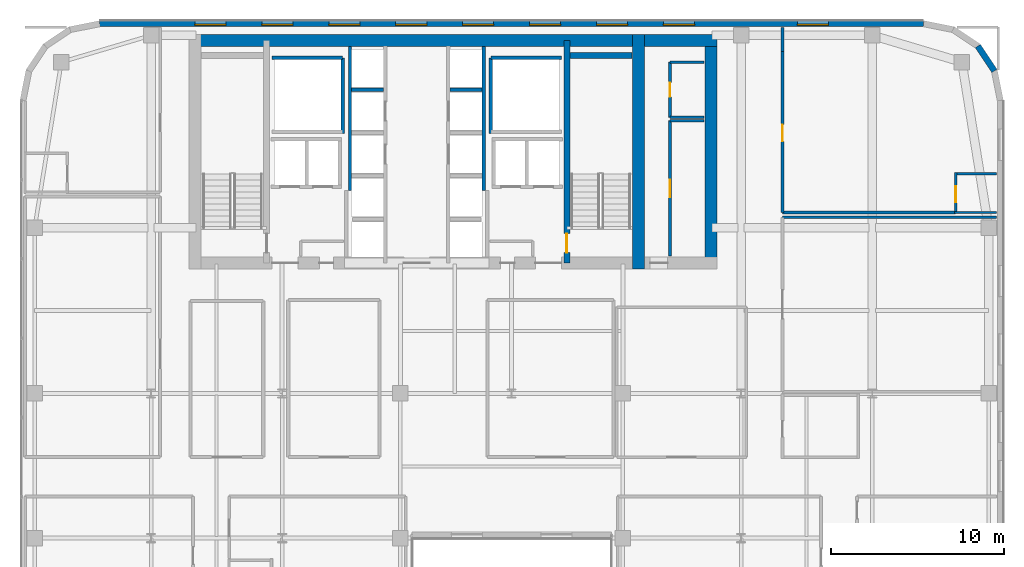
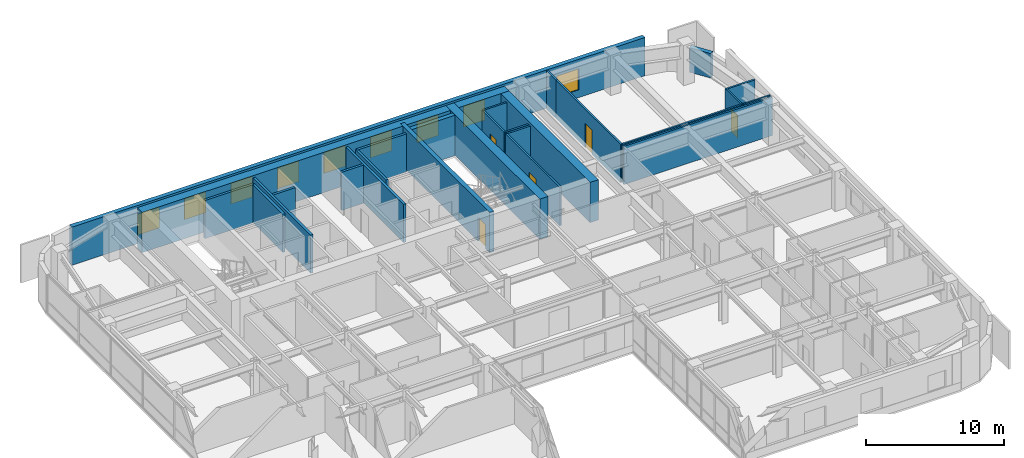
# One storey, part 31 of 37: 28 walls, 9 windows, 5 doors, 14 openings.
"""IFC4 building model written with IfcOpenShell, lengths in metres."""

from ifc_helpers import new_model, si_unit, direction, frame, frame_2d, origin, place, context, subcontext, project, spatial, rectangle, extrude, source, transform, mapped, material, layer, layer_set, type_object, type_shapes, element, fill, save


model = new_model("IFC4")

# Units and contexts
model_context = context("Model", 3, precision=1e-05, world=origin(), true_north=direction((0.0, 1.0)))
body_context = subcontext(model_context, "Body", "Model", "MODEL_VIEW")
ifc_project = project(units=[si_unit("LENGTHUNIT", "METRE"), si_unit("AREAUNIT", "SQUARE_METRE"), si_unit("VOLUMEUNIT", "CUBIC_METRE"), si_unit("PLANEANGLEUNIT", "RADIAN"), si_unit("MASSUNIT", "GRAM", prefix="KILO")], contexts=[model_context])

# Site, building, storey
site_placement = place(None, origin())
site = spatial("IfcSite", under=ifc_project, at=site_placement, CompositionType="ELEMENT")
building_placement = place(site_placement, origin())
building = spatial("IfcBuilding", under=site, at=building_placement, Name="Tolvann Quenvar Hotel", CompositionType="ELEMENT")
storey_placement = place(building_placement, frame((0.0, 0.0, 104.449951171875)))
storey = spatial("IfcBuildingStorey", under=building, at=storey_placement, Name="L26", CompositionType="ELEMENT", Elevation=104.449951171875)

# Walls
ifc_material_1 = material(Name="Concrete S65 (65 MPa)", Category="concrete")
ifc_layer_1 = layer(ifc_material_1, 0.699951171875)
ifc_layer_set_1 = layer_set([ifc_layer_1], Name="Concrete S65 (65 MPa)")
wall_type_1 = type_object("IfcWallType", Name="WALL_CORE_700", PredefinedType="SHEAR", material=ifc_layer_set_1)
wall_1_placement = place(storey_placement, frame((9.800048828125, 44.85009765625, 0.0), z_axis=(0.0, 0.0, 1.0), x_axis=(1.0, 0.0, 0.0)))
element("IfcWall", 1, at=wall_1_placement, inside=storey, type_object=wall_type_1, Name="Rear Core N Shear Wall (L26)", PredefinedType="SHEAR", context=body_context, shape_type="SweptSolid", body=[
    extrude(rectangle(XDim=26.39990234375, YDim=0.699951171875, at=frame_2d((13.199951171875, 0.0))), origin(), (0.0, 0.0, 1.0), 3.550048828125),
])
wall_2_placement = place(storey_placement, frame((35.85009765625, 31.60009765625, 0.0), z_axis=(0.0, 0.0, 1.0), x_axis=(0.0, 1.0, 0.0)))
element("IfcWall", 2, at=wall_2_placement, inside=storey, type_object=wall_type_1, Name="Rear Core E Shear Wall (L26)", PredefinedType="SHEAR", context=body_context, shape_type="SweptSolid", body=[
    extrude(rectangle(XDim=13.599853515625, YDim=0.699951171875, at=frame_2d((6.7998046875, 0.0))), origin(), (0.0, 0.0, 1.0), 3.550048828125),
])
wall_3_placement = place(storey_placement, frame((36.199951171875, 44.85009765625, 0.0), z_axis=(0.0, 0.0, 1.0), x_axis=(1.0, 0.0, 0.0)))
element("IfcWall", 3, at=wall_3_placement, inside=storey, type_object=wall_type_1, Name="Core East Annex Shear Wall ANN-N (L26)", PredefinedType="SHEAR", context=body_context, shape_type="SweptSolid", body=[
    extrude(rectangle(XDim=4.199951171875, YDim=0.699951171875, at=frame_2d((2.10009765625, 0.0))), origin(), (0.0, 0.0, 1.0), 3.550048828125),
])
wall_4_placement = place(storey_placement, frame((40.050048828125, 31.60009765625, 0.0), z_axis=(0.0, 0.0, 1.0), x_axis=(0.0, 1.0, 0.0)))
element("IfcWall", 4, at=wall_4_placement, inside=storey, type_object=wall_type_1, Name="Core East Annex Shear Wall ANN-E (L26)", PredefinedType="SHEAR", context=body_context, shape_type="SweptSolid", body=[
    extrude(rectangle(XDim=13.599853515625, YDim=0.699951171875, at=frame_2d((6.7998046875, 0.0))), origin(), (0.0, 0.0, 1.0), 3.550048828125),
])

# Wall, opening, door
ifc_layer_2 = layer(ifc_material_1, 0.35009765625)
ifc_layer_set_2 = layer_set([ifc_layer_2], Name="Concrete S65 (65 MPa)")
wall_type_2 = type_object("IfcWallType", Name="WALL_CORE_INT_350", PredefinedType="SHEAR", material=ifc_layer_set_2)
wall_5_placement = place(storey_placement, frame((31.699951171875, 31.949951171875, 0.0), z_axis=(0.0, 0.0, 1.0), x_axis=(0.0, 1.0, 0.0)))
wall_5 = element("IfcWall", 5, at=wall_5_placement, inside=storey, type_object=wall_type_2, Name="Core Internal Web Shear Wall WEB-E (L26)", PredefinedType="SHEAR", context=body_context, shape_type="SweptSolid", body=[
    extrude(rectangle(XDim=12.900146484375, YDim=0.35009765625, at=frame_2d((6.4501953125, 0.0))), origin(), (0.0, 0.0, 1.0), 3.550048828125),
])
opening_1_placement = place(wall_5_placement, frame((1.7001953125, 0.0, 0.0), z_axis=(0.0, 0.0, 1.0), x_axis=(-1.0, 0.0, 0.0)))
opening_1 = element("IfcOpeningElement", 6, at=opening_1_placement, cuts=wall_5, Name="Opening FD-120", PredefinedType="OPENING", context=body_context, shape_type="SweptSolid", body=[
    extrude(rectangle(XDim=1.10009765625, YDim=2.1201171875, at=frame_2d((0.550048828125, 1.06005859375))), frame((0.0, 0.18505859375, 0.0), z_axis=(0.0, -1.0, 0.0), x_axis=(1.0, 0.0, 0.0)), (0.0, 0.0, 1.0), 0.3701171875),
])
ifc_material_2 = material(Name="Pressed galvanised steel fire-rated door set", Category="steel")
door_type_1 = type_object("IfcDoorType", Name="DOOR_FIRE_STAIR_1100", OperationType="NOTDEFINED", PredefinedType="DOOR", material=ifc_material_2)
shared_shape_1 = source(origin(), body_context, "Body", "SweptSolid", [
    extrude(rectangle(XDim=1.10009765625, YDim=2.1201171875, at=frame_2d((0.550048828125, 1.06005859375))), frame((0.0, 0.02490234375, 0.0), z_axis=(0.0, -1.0, 0.0), x_axis=(1.0, 0.0, 0.0)), (0.0, 0.0, 1.0), 0.050048828125),
])
type_shapes(door_type_1, [shared_shape_1])
door_1_placement = place(opening_1_placement, origin())
door_1 = element("IfcDoor", 7, at=door_1_placement, inside=storey, type_object=door_type_1, Name="Exit Stair ST-C2 Fire Door (L26)", OperationType="SINGLE_SWING_RIGHT", OverallHeight=2.1201171875, OverallWidth=1.10009765625, PredefinedType="DOOR", context=body_context, shape_type="MappedRepresentation", body=[
    mapped(shared_shape_1, transform((0.0, 0.0, 0.0), x_axis=(1.0, 0.0, 0.0), y_axis=(0.0, 1.0, 0.0), z_axis=(0.0, 0.0, 1.0), scale=1.0)),
])
fill(opening_1, door_1)

# Walls
wall_6_placement = place(storey_placement, frame((31.8798828125, 43.97509765625, 0.0), z_axis=(0.0, 0.0, 1.0), x_axis=(1.0, 0.0, 0.0)))
element("IfcWall", 8, at=wall_6_placement, inside=storey, type_object=wall_type_2, Name="Core Stair North Closing Shear Wall STC2-N (L26)", PredefinedType="SHEAR", context=body_context, shape_type="SweptSolid", body=[
    extrude(rectangle(XDim=3.60009765625, YDim=0.35009765625, at=frame_2d((1.800048828125, 0.0))), origin(), (0.0, 0.0, 1.0), 3.550048828125),
])
ifc_material_3 = material(Name="Kiln-fired red and buff architectural clay brickwork and terracotta masonry", Category="masonry")
ifc_layer_3 = layer(ifc_material_3, 0.35009765625)
ifc_layer_set_3 = layer_set([ifc_layer_3], Name="Kiln-fired red and buff architectural clay brickwork and terracotta masonry")
wall_type_3 = type_object("IfcWallType", Name="WALL_EXT_BRICK_350", PredefinedType="SOLIDWALL", material=ifc_layer_set_3)
wall_7_placement = place(storey_placement, frame((56.485107421875, 43.092041015625, 0.0), z_axis=(0.0, 0.0, 1.0), x_axis=(-0.55554893791, 0.831483840845, 0.0)))
element("IfcWall", 9, at=wall_7_placement, inside=storey, type_object=wall_type_3, Name="Exterior Chicago Brick Wall L26-E15", PredefinedType="SOLIDWALL", context=body_context, shape_type="SweptSolid", body=[
    extrude(rectangle(XDim=1.725341796875, YDim=0.35009765625, at=frame_2d((0.86279296875, 0.0))), origin(), (0.0, 0.0, 1.0), 2.16015625),
])

# Wall, openings, windows
wall_8_placement = place(storey_placement, frame((52.3828125, 45.824951171875, 0.0), z_axis=(0.0, 0.0, 1.0), x_axis=(-1.0, 0.0, 0.0)))
wall_8 = element("IfcWall", 10, at=wall_8_placement, inside=storey, type_object=wall_type_3, Name="Exterior Chicago Brick Wall L26-E18", PredefinedType="SOLIDWALL", context=body_context, shape_type="SweptSolid", body=[
    extrude(rectangle(XDim=47.765625, YDim=0.35009765625, at=frame_2d((23.8828125, 0.0))), origin(), (0.0, 0.0, 1.0), 3.3701171875),
])
opening_2_placement = place(wall_8_placement, frame((5.52099609375, 0.0, 0.679931640625)))
opening_2 = element("IfcOpeningElement", 11, at=opening_2_placement, cuts=wall_8, Name="Opening W-03", PredefinedType="OPENING", context=body_context, shape_type="SweptSolid", body=[
    extrude(rectangle(XDim=1.800048828125, YDim=1.85009765625, at=frame_2d((0.89990234375, 0.925048828125))), frame((0.0, 0.18505859375, 0.0), z_axis=(0.0, -1.0, 0.0), x_axis=(1.0, 0.0, 0.0)), (0.0, 0.0, 1.0), 0.3701171875),
])
opening_3_placement = place(wall_8_placement, frame((13.281982421875, 0.0, 0.679931640625)))
opening_3 = element("IfcOpeningElement", 12, at=opening_3_placement, cuts=wall_8, Name="Opening W-03", PredefinedType="OPENING", context=body_context, shape_type="SweptSolid", body=[
    extrude(rectangle(XDim=1.800048828125, YDim=1.85009765625, at=frame_2d((0.89990234375, 0.925048828125))), frame((0.0, 0.18505859375, 0.0), z_axis=(0.0, -1.0, 0.0), x_axis=(1.0, 0.0, 0.0)), (0.0, 0.0, 1.0), 0.3701171875),
])
opening_4_placement = place(wall_8_placement, frame((17.162109375, 0.0, 0.679931640625)))
opening_4 = element("IfcOpeningElement", 13, at=opening_4_placement, cuts=wall_8, Name="Opening W-03", PredefinedType="OPENING", context=body_context, shape_type="SweptSolid", body=[
    extrude(rectangle(XDim=1.800048828125, YDim=1.85009765625, at=frame_2d((0.89990234375, 0.925048828125))), frame((0.0, 0.18505859375, 0.0), z_axis=(0.0, -1.0, 0.0), x_axis=(1.0, 0.0, 0.0)), (0.0, 0.0, 1.0), 0.3701171875),
])
opening_5_placement = place(wall_8_placement, frame((21.04296875, 0.0, 0.679931640625)))
opening_5 = element("IfcOpeningElement", 14, at=opening_5_placement, cuts=wall_8, Name="Opening W-03", PredefinedType="OPENING", context=body_context, shape_type="SweptSolid", body=[
    extrude(rectangle(XDim=1.800048828125, YDim=1.85009765625, at=frame_2d((0.89990234375, 0.925048828125))), frame((0.0, 0.18505859375, 0.0), z_axis=(0.0, -1.0, 0.0), x_axis=(1.0, 0.0, 0.0)), (0.0, 0.0, 1.0), 0.3701171875),
])
opening_6_placement = place(wall_8_placement, frame((24.923095703125, 0.0, 0.679931640625)))
opening_6 = element("IfcOpeningElement", 15, at=opening_6_placement, cuts=wall_8, Name="Opening W-03", PredefinedType="OPENING", context=body_context, shape_type="SweptSolid", body=[
    extrude(rectangle(XDim=1.800048828125, YDim=1.85009765625, at=frame_2d((0.89990234375, 0.925048828125))), frame((0.0, 0.18505859375, 0.0), z_axis=(0.0, -1.0, 0.0), x_axis=(1.0, 0.0, 0.0)), (0.0, 0.0, 1.0), 0.3701171875),
])
opening_7_placement = place(wall_8_placement, frame((28.803955078125, 0.0, 0.679931640625)))
opening_7 = element("IfcOpeningElement", 16, at=opening_7_placement, cuts=wall_8, Name="Opening W-03", PredefinedType="OPENING", context=body_context, shape_type="SweptSolid", body=[
    extrude(rectangle(XDim=1.800048828125, YDim=1.85009765625, at=frame_2d((0.89990234375, 0.925048828125))), frame((0.0, 0.18505859375, 0.0), z_axis=(0.0, -1.0, 0.0), x_axis=(1.0, 0.0, 0.0)), (0.0, 0.0, 1.0), 0.3701171875),
])
opening_8_placement = place(wall_8_placement, frame((32.68408203125, 0.0, 0.679931640625)))
opening_8 = element("IfcOpeningElement", 17, at=opening_8_placement, cuts=wall_8, Name="Opening W-03", PredefinedType="OPENING", context=body_context, shape_type="SweptSolid", body=[
    extrude(rectangle(XDim=1.800048828125, YDim=1.85009765625, at=frame_2d((0.89990234375, 0.925048828125))), frame((0.0, 0.18505859375, 0.0), z_axis=(0.0, -1.0, 0.0), x_axis=(1.0, 0.0, 0.0)), (0.0, 0.0, 1.0), 0.3701171875),
])
opening_9_placement = place(wall_8_placement, frame((36.56396484375, 0.0, 0.679931640625)))
opening_9 = element("IfcOpeningElement", 18, at=opening_9_placement, cuts=wall_8, Name="Opening W-03", PredefinedType="OPENING", context=body_context, shape_type="SweptSolid", body=[
    extrude(rectangle(XDim=1.800048828125, YDim=1.85009765625, at=frame_2d((0.89990234375, 0.925048828125))), frame((0.0, 0.18505859375, 0.0), z_axis=(0.0, -1.0, 0.0), x_axis=(1.0, 0.0, 0.0)), (0.0, 0.0, 1.0), 0.3701171875),
])
opening_10_placement = place(wall_8_placement, frame((40.445068359375, 0.0, 0.679931640625)))
opening_10 = element("IfcOpeningElement", 19, at=opening_10_placement, cuts=wall_8, Name="Opening W-03", PredefinedType="OPENING", context=body_context, shape_type="SweptSolid", body=[
    extrude(rectangle(XDim=1.800048828125, YDim=1.85009765625, at=frame_2d((0.89990234375, 0.925048828125))), frame((0.0, 0.18505859375, 0.0), z_axis=(0.0, -1.0, 0.0), x_axis=(1.0, 0.0, 0.0)), (0.0, 0.0, 1.0), 0.3701171875),
])
ifc_material_4 = material(Name="Thermally broken bronze-anodised aluminium frame with double low-E glazing", Category="aluminium")
window_type = type_object("IfcWindowType", Name="WIN_CHI_1800x2050", PartitioningType="TRIPLE_PANEL_HORIZONTAL", PredefinedType="WINDOW", material=ifc_material_4)
shared_shape_2 = source(origin(), body_context, "Body", "SweptSolid", [
    extrude(rectangle(XDim=1.800048828125, YDim=1.85009765625, at=frame_2d((0.89990234375, 0.925048828125))), frame((0.0, 0.090087890625, 0.0), z_axis=(0.0, -1.0, 0.0), x_axis=(1.0, 0.0, 0.0)), (0.0, 0.0, 1.0), 0.06005859375),
])
type_shapes(window_type, [shared_shape_2])
window_1_placement = place(opening_2_placement, origin())
window_1 = element("IfcWindow", 20, at=window_1_placement, inside=storey, type_object=window_type, Name="Chicago Window W-03 (EW-L26-E18-W01)", OverallHeight=1.85009765625, OverallWidth=1.800048828125, PartitioningType="TRIPLE_PANEL_HORIZONTAL", PredefinedType="WINDOW", context=body_context, shape_type="MappedRepresentation", body=[
    mapped(shared_shape_2, transform((0.0, 0.0, 0.0), x_axis=(1.0, 0.0, 0.0), y_axis=(0.0, 1.0, 0.0), z_axis=(0.0, 0.0, 1.0), scale=1.0)),
])
fill(opening_2, window_1)
window_2_placement = place(opening_3_placement, origin())
window_2 = element("IfcWindow", 21, at=window_2_placement, inside=storey, type_object=window_type, Name="Chicago Window W-03 (EW-L26-E18-W02)", OverallHeight=1.85009765625, OverallWidth=1.800048828125, PartitioningType="TRIPLE_PANEL_HORIZONTAL", PredefinedType="WINDOW", context=body_context, shape_type="MappedRepresentation", body=[
    mapped(shared_shape_2, transform((0.0, 0.0, 0.0), x_axis=(1.0, 0.0, 0.0), y_axis=(0.0, 1.0, 0.0), z_axis=(0.0, 0.0, 1.0), scale=1.0)),
])
fill(opening_3, window_2)
window_3_placement = place(opening_4_placement, origin())
window_3 = element("IfcWindow", 22, at=window_3_placement, inside=storey, type_object=window_type, Name="Chicago Window W-03 (EW-L26-E18-W03)", OverallHeight=1.85009765625, OverallWidth=1.800048828125, PartitioningType="TRIPLE_PANEL_HORIZONTAL", PredefinedType="WINDOW", context=body_context, shape_type="MappedRepresentation", body=[
    mapped(shared_shape_2, transform((0.0, 0.0, 0.0), x_axis=(1.0, 0.0, 0.0), y_axis=(0.0, 1.0, 0.0), z_axis=(0.0, 0.0, 1.0), scale=1.0)),
])
fill(opening_4, window_3)
window_4_placement = place(opening_5_placement, origin())
window_4 = element("IfcWindow", 23, at=window_4_placement, inside=storey, type_object=window_type, Name="Chicago Window W-03 (EW-L26-E18-W04)", OverallHeight=1.85009765625, OverallWidth=1.800048828125, PartitioningType="TRIPLE_PANEL_HORIZONTAL", PredefinedType="WINDOW", context=body_context, shape_type="MappedRepresentation", body=[
    mapped(shared_shape_2, transform((0.0, 0.0, 0.0), x_axis=(1.0, 0.0, 0.0), y_axis=(0.0, 1.0, 0.0), z_axis=(0.0, 0.0, 1.0), scale=1.0)),
])
fill(opening_5, window_4)
window_5_placement = place(opening_6_placement, origin())
window_5 = element("IfcWindow", 24, at=window_5_placement, inside=storey, type_object=window_type, Name="Chicago Window W-03 (EW-L26-E18-W05)", OverallHeight=1.85009765625, OverallWidth=1.800048828125, PartitioningType="TRIPLE_PANEL_HORIZONTAL", PredefinedType="WINDOW", context=body_context, shape_type="MappedRepresentation", body=[
    mapped(shared_shape_2, transform((0.0, 0.0, 0.0), x_axis=(1.0, 0.0, 0.0), y_axis=(0.0, 1.0, 0.0), z_axis=(0.0, 0.0, 1.0), scale=1.0)),
])
fill(opening_6, window_5)
window_6_placement = place(opening_7_placement, origin())
window_6 = element("IfcWindow", 25, at=window_6_placement, inside=storey, type_object=window_type, Name="Chicago Window W-03 (EW-L26-E18-W06)", OverallHeight=1.85009765625, OverallWidth=1.800048828125, PartitioningType="TRIPLE_PANEL_HORIZONTAL", PredefinedType="WINDOW", context=body_context, shape_type="MappedRepresentation", body=[
    mapped(shared_shape_2, transform((0.0, 0.0, 0.0), x_axis=(1.0, 0.0, 0.0), y_axis=(0.0, 1.0, 0.0), z_axis=(0.0, 0.0, 1.0), scale=1.0)),
])
fill(opening_7, window_6)
window_7_placement = place(opening_8_placement, origin())
window_7 = element("IfcWindow", 26, at=window_7_placement, inside=storey, type_object=window_type, Name="Chicago Window W-03 (EW-L26-E18-W07)", OverallHeight=1.85009765625, OverallWidth=1.800048828125, PartitioningType="TRIPLE_PANEL_HORIZONTAL", PredefinedType="WINDOW", context=body_context, shape_type="MappedRepresentation", body=[
    mapped(shared_shape_2, transform((0.0, 0.0, 0.0), x_axis=(1.0, 0.0, 0.0), y_axis=(0.0, 1.0, 0.0), z_axis=(0.0, 0.0, 1.0), scale=1.0)),
])
fill(opening_8, window_7)
window_8_placement = place(opening_9_placement, origin())
window_8 = element("IfcWindow", 27, at=window_8_placement, inside=storey, type_object=window_type, Name="Chicago Window W-03 (EW-L26-E18-W08)", OverallHeight=1.85009765625, OverallWidth=1.800048828125, PartitioningType="TRIPLE_PANEL_HORIZONTAL", PredefinedType="WINDOW", context=body_context, shape_type="MappedRepresentation", body=[
    mapped(shared_shape_2, transform((0.0, 0.0, 0.0), x_axis=(1.0, 0.0, 0.0), y_axis=(0.0, 1.0, 0.0), z_axis=(0.0, 0.0, 1.0), scale=1.0)),
])
fill(opening_9, window_8)
window_9_placement = place(opening_10_placement, origin())
window_9 = element("IfcWindow", 28, at=window_9_placement, inside=storey, type_object=window_type, Name="Chicago Window W-03 (EW-L26-E18-W09)", OverallHeight=1.85009765625, OverallWidth=1.800048828125, PartitioningType="TRIPLE_PANEL_HORIZONTAL", PredefinedType="WINDOW", context=body_context, shape_type="MappedRepresentation", body=[
    mapped(shared_shape_2, transform((0.0, 0.0, 0.0), x_axis=(1.0, 0.0, 0.0), y_axis=(0.0, 1.0, 0.0), z_axis=(0.0, 0.0, 1.0), scale=1.0)),
])
fill(opening_10, window_9)

# Wall
ifc_material_5 = material(Name="Moisture-resistant acoustic plumbing wall assembly")
ifc_layer_4 = layer(ifc_material_5, 0.1201171875)
ifc_layer_set_4 = layer_set([ifc_layer_4], Name="Moisture-resistant acoustic plumbing wall assembly")
wall_type_4 = type_object("IfcWallType", Name="WALL_PART_BATH_120", PredefinedType="PLUMBINGWALL", material=ifc_layer_set_4)
wall_9_placement = place(storey_placement, frame((54.179931640625, 34.8798828125, 0.0), z_axis=(0.0, 0.0, 1.0), x_axis=(1.0, 0.0, 0.0)))
element("IfcWall", 29, at=wall_9_placement, inside=storey, type_object=wall_type_4, Name="Non-Rated Plumbing Partition PT-SPC-L26-ENS-NE01-S", PredefinedType="PLUMBINGWALL", context=body_context, shape_type="SweptSolid", body=[
    extrude(rectangle(XDim=2.4150390625, YDim=0.1201171875, at=frame_2d((1.20751953125, 0.0))), origin(), (0.0, 0.0, 1.0), 3.3701171875),
])

# Wall, opening, door
ifc_material_6 = material(Name="Acoustic twin-stud fire-rated gypsum plasterboard partition")
ifc_layer_5 = layer(ifc_material_6, 0.14990234375)
ifc_layer_set_5 = layer_set([ifc_layer_5], Name="Acoustic twin-stud fire-rated gypsum plasterboard partition")
wall_type_5 = type_object("IfcWallType", Name="WALL_PART_SUITE_150", PredefinedType="PARTITIONING", material=ifc_layer_set_5)
wall_10_placement = place(storey_placement, frame((54.25, 34.81005859375, 0.0), z_axis=(0.0, 0.0, 1.0), x_axis=(0.0, 1.0, 0.0)))
wall_10 = element("IfcWall", 30, at=wall_10_placement, inside=storey, type_object=wall_type_5, Name="Interior Partition PT-SPC-L26-ENS-NE01-ENT", PredefinedType="PARTITIONING", context=body_context, shape_type="SweptSolid", body=[
    extrude(rectangle(XDim=2.389892578125, YDim=0.14990234375, at=frame_2d((1.19482421875, 0.0))), origin(), (0.0, 0.0, 1.0), 3.3701171875),
])
opening_11_placement = place(wall_10_placement, frame((0.6650390625, 0.0, 0.0)))
opening_11 = element("IfcOpeningElement", 31, at=opening_11_placement, cuts=wall_10, Name="Opening WD-01", PredefinedType="OPENING", context=body_context, shape_type="SweptSolid", body=[
    extrude(rectangle(XDim=0.919921875, YDim=2.010009765625, at=frame_2d((0.4599609375, 1.0048828125))), frame((0.0, 0.0849609375, 0.0), z_axis=(0.0, -1.0, 0.0), x_axis=(1.0, 0.0, 0.0)), (0.0, 0.0, 1.0), 0.169921875),
])
ifc_material_7 = material(Name="Solid-core American oak acoustic fire door leaf in steel frame", Category="steel")
door_type_2 = type_object("IfcDoorType", Name="DOOR_WC_920", OperationType="NOTDEFINED", PredefinedType="DOOR", material=ifc_material_7)
shared_shape_3 = source(origin(), body_context, "Body", "SweptSolid", [
    extrude(rectangle(XDim=0.919921875, YDim=2.010009765625, at=frame_2d((0.4599609375, 1.0048828125))), frame((0.0, 0.02490234375, 0.0), z_axis=(0.0, -1.0, 0.0), x_axis=(1.0, 0.0, 0.0)), (0.0, 0.0, 1.0), 0.050048828125),
])
type_shapes(door_type_2, [shared_shape_3])
door_2_placement = place(opening_11_placement, origin())
door_2 = element("IfcDoor", 32, at=door_2_placement, inside=storey, type_object=door_type_2, Name="Interior Door DOOR-SPC-L26-ENS-NE01", OperationType="SINGLE_SWING_RIGHT", OverallHeight=2.010009765625, OverallWidth=0.919921875, PredefinedType="DOOR", context=body_context, shape_type="MappedRepresentation", body=[
    mapped(shared_shape_3, transform((0.0, 0.0, 0.0), x_axis=(1.0, 0.0, 0.0), y_axis=(0.0, 1.0, 0.0), z_axis=(0.0, 0.0, 1.0), scale=1.0)),
])
fill(opening_11, door_2)

# Walls
wall_11_placement = place(storey_placement, frame((54.179931640625, 37.1298828125, 0.0), z_axis=(0.0, 0.0, 1.0), x_axis=(1.0, 0.0, 0.0)))
element("IfcWall", 33, at=wall_11_placement, inside=storey, type_object=wall_type_5, Name="Interior Partition PT-SPC-L26-ENS-NE01-N", PredefinedType="PARTITIONING", context=body_context, shape_type="SweptSolid", body=[
    extrude(rectangle(XDim=2.4150390625, YDim=0.14990234375, at=frame_2d((1.20751953125, 0.0))), origin(), (0.0, 0.0, 1.0), 3.3701171875),
])
wall_12_placement = place(storey_placement, frame((37.679931640625, 40.199951171875, 0.0), z_axis=(0.0, 0.0, 1.0), x_axis=(1.0, 0.0, 0.0)))
element("IfcWall", 34, at=wall_12_placement, inside=storey, type_object=wall_type_5, Name="Interior Partition PT-SPC-L26-RECPL-1-N", PredefinedType="PARTITIONING", context=body_context, shape_type="SweptSolid", body=[
    extrude(rectangle(XDim=1.965087890625, YDim=0.14990234375, at=frame_2d((0.982421875, 0.0))), origin(), (0.0, 0.0, 1.0), 3.3701171875),
])

# Wall, opening, door
wall_13_placement = place(storey_placement, frame((37.679931640625, 32.35498046875, 0.0), z_axis=(0.0, 0.0, 1.0), x_axis=(0.0, 1.0, 0.0)))
wall_13 = element("IfcWall", 35, at=wall_13_placement, inside=storey, type_object=wall_type_5, Name="Interior Partition PT-SPC-L26-RECPL-1-W", PredefinedType="PARTITIONING", context=body_context, shape_type="SweptSolid", body=[
    extrude(rectangle(XDim=7.844970703125, YDim=0.14990234375, at=frame_2d((3.92236328125, 0.0))), origin(), (0.0, 0.0, 1.0), 3.3701171875),
])
opening_12_placement = place(wall_13_placement, frame((3.41259765625, 0.0, 0.0)))
opening_12 = element("IfcOpeningElement", 36, at=opening_12_placement, cuts=wall_13, Name="Opening HD-01", PredefinedType="OPENING", context=body_context, shape_type="SweptSolid", body=[
    extrude(rectangle(XDim=1.02001953125, YDim=2.030029296875, at=frame_2d((0.510009765625, 1.01513671875))), frame((0.0, 0.0849609375, 0.0), z_axis=(0.0, -1.0, 0.0), x_axis=(1.0, 0.0, 0.0)), (0.0, 0.0, 1.0), 0.169921875),
])
door_type_3 = type_object("IfcDoorType", Name="DOOR_BOH_1020", OperationType="NOTDEFINED", PredefinedType="DOOR", material=ifc_material_2)
shared_shape_4 = source(origin(), body_context, "Body", "SweptSolid", [
    extrude(rectangle(XDim=1.02001953125, YDim=2.030029296875, at=frame_2d((0.510009765625, 1.01513671875))), frame((0.0, 0.02490234375, 0.0), z_axis=(0.0, -1.0, 0.0), x_axis=(1.0, 0.0, 0.0)), (0.0, 0.0, 1.0), 0.050048828125),
])
type_shapes(door_type_3, [shared_shape_4])
door_3_placement = place(opening_12_placement, origin())
door_3 = element("IfcDoor", 37, at=door_3_placement, inside=storey, type_object=door_type_3, Name="Interior Door DOOR-SPC-L26-RECPL-1", OperationType="SINGLE_SWING_LEFT", OverallHeight=2.030029296875, OverallWidth=1.02001953125, PredefinedType="DOOR", context=body_context, shape_type="MappedRepresentation", body=[
    mapped(shared_shape_4, transform((0.0, 0.0, 0.0), x_axis=(1.0, 0.0, 0.0), y_axis=(0.0, 1.0, 0.0), z_axis=(0.0, 0.0, 1.0), scale=1.0)),
])
fill(opening_12, door_3)

# Walls
for number, where, z_axis, x_axis, name in (
    (38, (37.679931640625, 40.39990234375, 0.0), (0.0, 0.0, 1.0), (1.0, 0.0, 0.0), "Interior Partition PT-SPC-L26-CSE-1-S"),
    (39, (37.679931640625, 43.60009765625, 0.0), (0.0, 0.0, 1.0), (1.0, 0.0, 0.0), "Interior Partition PT-SPC-L26-CSE-1-N"),
):
    element("IfcWall", number, at=place(storey_placement, frame(where, z_axis=z_axis, x_axis=x_axis)), inside=storey, type_object=wall_type_5, Name=name, PredefinedType="PARTITIONING", context=body_context, shape_type="SweptSolid", body=[
        extrude(rectangle(XDim=1.965087890625, YDim=0.14990234375, at=frame_2d((0.982421875, 0.0))), origin(), (0.0, 0.0, 1.0), 3.3701171875),
    ])

# Wall, opening, door
wall_14_placement = place(storey_placement, frame((37.679931640625, 40.39990234375, 0.0), z_axis=(0.0, 0.0, 1.0), x_axis=(0.0, 1.0, 0.0)))
wall_14 = element("IfcWall", 40, at=wall_14_placement, inside=storey, type_object=wall_type_5, Name="Interior Partition PT-SPC-L26-CSE-1-W", PredefinedType="PARTITIONING", context=body_context, shape_type="SweptSolid", body=[
    extrude(rectangle(XDim=3.2001953125, YDim=0.14990234375, at=frame_2d((1.60009765625, 0.0))), origin(), (0.0, 0.0, 1.0), 3.3701171875),
])
opening_13_placement = place(wall_14_placement, frame((1.18994140625, 0.0, 0.0)))
opening_13 = element("IfcOpeningElement", 41, at=opening_13_placement, cuts=wall_14, Name="Opening HD-02", PredefinedType="OPENING", context=body_context, shape_type="SweptSolid", body=[
    extrude(rectangle(XDim=0.820068359375, YDim=2.010009765625, at=frame_2d((0.41015625, 1.0048828125))), frame((0.0, 0.0849609375, 0.0), z_axis=(0.0, -1.0, 0.0), x_axis=(1.0, 0.0, 0.0)), (0.0, 0.0, 1.0), 0.169921875),
])
door_type_4 = type_object("IfcDoorType", Name="DOOR_STORE_820", OperationType="NOTDEFINED", PredefinedType="DOOR", material=ifc_material_2)
shared_shape_5 = source(origin(), body_context, "Body", "SweptSolid", [
    extrude(rectangle(XDim=0.820068359375, YDim=2.010009765625, at=frame_2d((0.41015625, 1.0048828125))), frame((0.0, 0.02490234375, 0.0), z_axis=(0.0, -1.0, 0.0), x_axis=(1.0, 0.0, 0.0)), (0.0, 0.0, 1.0), 0.050048828125),
])
type_shapes(door_type_4, [shared_shape_5])
door_4_placement = place(opening_13_placement, origin())
door_4 = element("IfcDoor", 42, at=door_4_placement, inside=storey, type_object=door_type_4, Name="Interior Door DOOR-SPC-L26-CSE-1", OperationType="SINGLE_SWING_RIGHT", OverallHeight=2.010009765625, OverallWidth=0.820068359375, PredefinedType="DOOR", context=body_context, shape_type="MappedRepresentation", body=[
    mapped(shared_shape_5, transform((0.0, 0.0, 0.0), x_axis=(1.0, 0.0, 0.0), y_axis=(0.0, 1.0, 0.0), z_axis=(0.0, 0.0, 1.0), scale=1.0)),
])
fill(opening_13, door_4)

# Wall
wall_15_placement = place(storey_placement, frame((44.199951171875, 34.60009765625, 0.0), z_axis=(0.0, 0.0, 1.0), x_axis=(1.0, 0.0, 0.0)))
element("IfcWall", 43, at=wall_15_placement, inside=storey, type_object=wall_type_5, Name="Interior Partition PT-SPC-L26-SPA-N", PredefinedType="PARTITIONING", context=body_context, shape_type="SweptSolid", body=[
    extrude(rectangle(XDim=12.39501953125, YDim=0.14990234375, at=frame_2d((6.197509765625, 0.0))), origin(), (0.0, 0.0, 1.0), 3.3701171875),
])

# Wall, opening, door
wall_16_placement = place(storey_placement, frame((44.199951171875, 34.8798828125, 0.0), z_axis=(0.0, 0.0, 1.0), x_axis=(0.0, 1.0, 0.0)))
wall_16 = element("IfcWall", 44, at=wall_16_placement, inside=storey, type_object=wall_type_5, Name="Interior Partition PT-SPC-L26-RM-NE01-ENT", PredefinedType="PARTITIONING", context=body_context, shape_type="SweptSolid", body=[
    extrude(rectangle(XDim=9.330078125, YDim=0.14990234375, at=frame_2d((4.6650390625, 0.0))), origin(), (0.0, 0.0, 1.0), 3.3701171875),
])
opening_14_placement = place(wall_16_placement, frame((4.1201171875, 0.0, 0.0)))
opening_14 = element("IfcOpeningElement", 45, at=opening_14_placement, cuts=wall_16, Name="Opening SD-01", PredefinedType="OPENING", context=body_context, shape_type="SweptSolid", body=[
    extrude(rectangle(XDim=0.97998046875, YDim=2.1201171875, at=frame_2d((0.489990234375, 1.06005859375))), frame((0.0, 0.0849609375, 0.0), z_axis=(0.0, -1.0, 0.0), x_axis=(1.0, 0.0, 0.0)), (0.0, 0.0, 1.0), 0.169921875),
])
door_type_5 = type_object("IfcDoorType", Name="DOOR_SUITE_980", OperationType="NOTDEFINED", PredefinedType="DOOR", material=ifc_material_7)
shared_shape_6 = source(origin(), body_context, "Body", "SweptSolid", [
    extrude(rectangle(XDim=0.97998046875, YDim=2.1201171875, at=frame_2d((0.489990234375, 1.06005859375))), frame((0.0, 0.02490234375, 0.0), z_axis=(0.0, -1.0, 0.0), x_axis=(1.0, 0.0, 0.0)), (0.0, 0.0, 1.0), 0.050048828125),
])
type_shapes(door_type_5, [shared_shape_6])
door_5_placement = place(opening_14_placement, origin())
door_5 = element("IfcDoor", 46, at=door_5_placement, inside=storey, type_object=door_type_5, Name="Interior Door DOOR-SPC-L26-RM-NE01", OperationType="SINGLE_SWING_LEFT", OverallHeight=2.1201171875, OverallWidth=0.97998046875, PredefinedType="DOOR", context=body_context, shape_type="MappedRepresentation", body=[
    mapped(shared_shape_6, transform((0.0, 0.0, 0.0), x_axis=(1.0, 0.0, 0.0), y_axis=(0.0, 1.0, 0.0), z_axis=(0.0, 0.0, 1.0), scale=1.0)),
])
fill(opening_14, door_5)

# Walls
wall_17_placement = place(storey_placement, frame((44.199951171875, 34.8798828125, 0.0), z_axis=(0.0, 0.0, 1.0), x_axis=(1.0, 0.0, 0.0)))
element("IfcWall", 47, at=wall_17_placement, inside=storey, type_object=wall_type_5, Name="Interior Partition PT-SPC-L26-RM-NE01-E1", PredefinedType="PARTITIONING", context=body_context, shape_type="SweptSolid", body=[
    extrude(rectangle(XDim=10.030029296875, YDim=0.14990234375, at=frame_2d((5.01513671875, 0.0))), origin(), (0.0, 0.0, 1.0), 3.3701171875),
])
wall_18_placement = place(storey_placement, frame((44.199951171875, 44.219970703125, 0.0), z_axis=(0.0, 0.0, 1.0), x_axis=(0.0, 1.0, 0.0)))
element("IfcWall", 48, at=wall_18_placement, inside=storey, type_object=wall_type_5, Name="Interior Partition PT-SPC-L26-RM-NE01-E6", PredefinedType="PARTITIONING", context=body_context, shape_type="SweptSolid", body=[
    extrude(rectangle(XDim=1.375, YDim=0.14990234375, at=frame_2d((0.6875, 0.0))), origin(), (0.0, 0.0, 1.0), 3.3701171875),
])
ifc_material_8 = material(Name="Concrete N40 (40 MPa)", Category="concrete")
ifc_layer_6 = layer(ifc_material_8, 0.199951171875)
ifc_layer_set_6 = layer_set([ifc_layer_6], Name="Concrete N40 (40 MPa)")
wall_type_6 = type_object("IfcWallType", Name="WALL_SHAFT_200", PredefinedType="SOLIDWALL", material=ifc_layer_set_6)
wall_19_placement = place(storey_placement, frame((18.699951171875, 39.449951171875, 0.0), z_axis=(0.0, 0.0, 1.0), x_axis=(0.0, 1.0, 0.0)))
element("IfcWall", 49, at=wall_19_placement, inside=storey, type_object=wall_type_6, Name="Service Riser W Shaft Wall IN (L26)", PredefinedType="SOLIDWALL", context=body_context, shape_type="SweptSolid", body=[
    extrude(rectangle(XDim=4.400146484375, YDim=0.199951171875, at=frame_2d((2.2001953125, 0.0))), origin(), (0.0, 0.0, 1.0), 3.3701171875),
])
wall_20_placement = place(storey_placement, frame((14.60009765625, 43.85009765625, 0.0), z_axis=(0.0, 0.0, 1.0), x_axis=(1.0, 0.0, 0.0)))
element("IfcWall", 50, at=wall_20_placement, inside=storey, type_object=wall_type_6, Name="Service Riser W Shaft Wall N (L26)", PredefinedType="SOLIDWALL", context=body_context, shape_type="SweptSolid", body=[
    extrude(rectangle(XDim=4.099853515625, YDim=0.199951171875, at=frame_2d((2.0498046875, 0.0))), origin(), (0.0, 0.0, 1.0), 3.3701171875),
])
wall_21_placement = place(storey_placement, frame((27.300048828125, 39.449951171875, 0.0), z_axis=(0.0, 0.0, 1.0), x_axis=(0.0, 1.0, 0.0)))
element("IfcWall", 51, at=wall_21_placement, inside=storey, type_object=wall_type_6, Name="Service Riser E Shaft Wall IN (L26)", PredefinedType="SOLIDWALL", context=body_context, shape_type="SweptSolid", body=[
    extrude(rectangle(XDim=4.400146484375, YDim=0.199951171875, at=frame_2d((2.2001953125, 0.0))), origin(), (0.0, 0.0, 1.0), 3.3701171875),
])
wall_22_placement = place(storey_placement, frame((27.300048828125, 43.85009765625, 0.0), z_axis=(0.0, 0.0, 1.0), x_axis=(1.0, 0.0, 0.0)))
element("IfcWall", 52, at=wall_22_placement, inside=storey, type_object=wall_type_6, Name="Service Riser E Shaft Wall N (L26)", PredefinedType="SOLIDWALL", context=body_context, shape_type="SweptSolid", body=[
    extrude(rectangle(XDim=4.099853515625, YDim=0.199951171875, at=frame_2d((2.0498046875, 0.0))), origin(), (0.0, 0.0, 1.0), 3.3701171875),
])
wall_23_placement = place(storey_placement, frame((19.1298828125, 36.159912109375, 0.0), z_axis=(0.0, 0.0, 1.0), x_axis=(0.0, 1.0, 0.0)))
element("IfcWall", 53, at=wall_23_placement, inside=storey, type_object=wall_type_6, Name="Lift Bank E21.1C1 Hoistway Rear Wall (L26)", PredefinedType="SOLIDWALL", context=body_context, shape_type="SweptSolid", body=[
    extrude(rectangle(XDim=8.336181640625, YDim=0.199951171875, at=frame_2d((4.16796875, 0.0))), origin(), (0.0, 0.0, 1.0), 3.3701171875),
])
wall_24_placement = place(storey_placement, frame((19.22998046875, 42.0, 0.0), z_axis=(0.0, 0.0, 1.0), x_axis=(1.0, 0.0, 0.0)))
element("IfcWall", 54, at=wall_24_placement, inside=storey, type_object=wall_type_6, Name="Lift Bank E21.1C1 Divider Wall 4 (L26)", PredefinedType="SOLIDWALL", context=body_context, shape_type="SweptSolid", body=[
    extrude(rectangle(XDim=1.840087890625, YDim=0.199951171875, at=frame_2d((0.919921875, 0.0))), origin(), (0.0, 0.0, 1.0), 3.3701171875),
])
wall_25_placement = place(storey_placement, frame((26.8701171875, 36.159912109375, 0.0), z_axis=(0.0, 0.0, 1.0), x_axis=(0.0, 1.0, 0.0)))
element("IfcWall", 55, at=wall_25_placement, inside=storey, type_object=wall_type_6, Name="Lift Bank W24.9C1 Hoistway Rear Wall (L26)", PredefinedType="SOLIDWALL", context=body_context, shape_type="SweptSolid", body=[
    extrude(rectangle(XDim=8.336181640625, YDim=0.199951171875, at=frame_2d((4.16796875, 0.0))), origin(), (0.0, 0.0, 1.0), 3.3701171875),
])
wall_26_placement = place(storey_placement, frame((24.929931640625, 42.0, 0.0), z_axis=(0.0, 0.0, 1.0), x_axis=(1.0, 0.0, 0.0)))
element("IfcWall", 56, at=wall_26_placement, inside=storey, type_object=wall_type_6, Name="Lift Bank W24.9C1 Divider Wall 4 (L26)", PredefinedType="SOLIDWALL", context=body_context, shape_type="SweptSolid", body=[
    extrude(rectangle(XDim=1.840087890625, YDim=0.199951171875, at=frame_2d((0.919921875, 0.0))), origin(), (0.0, 0.0, 1.0), 3.3701171875),
])

save(model, "model.ifc")
